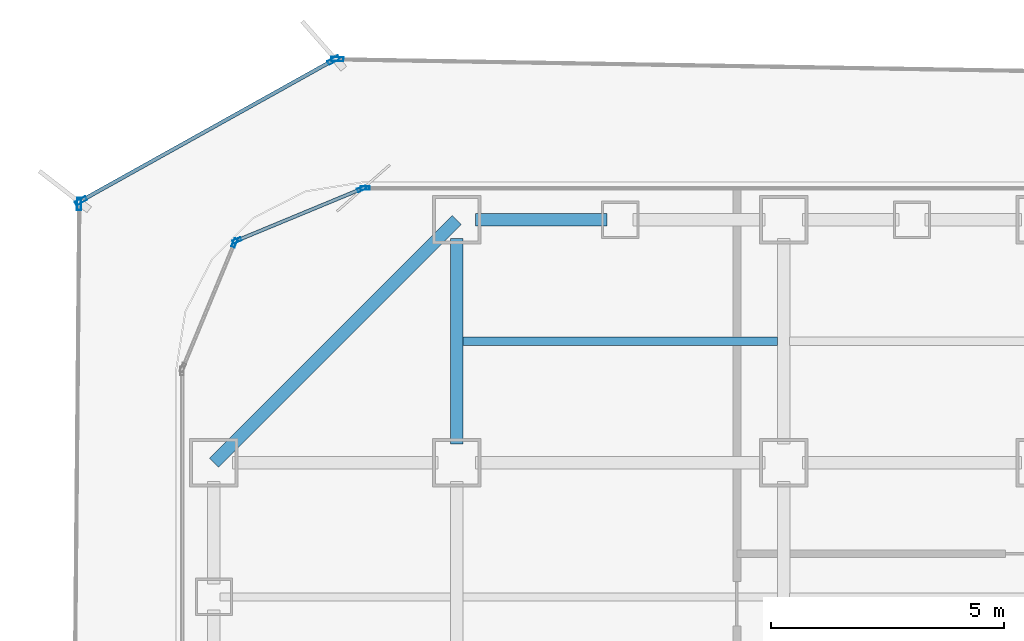
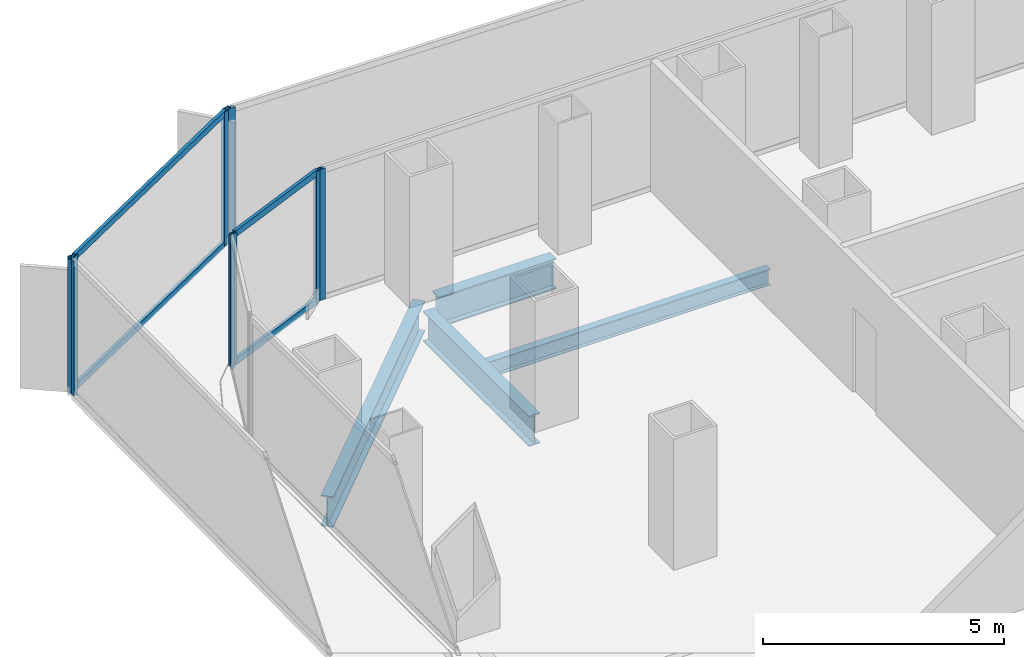
# One storey, part 11 of 21: 12 members, 4 beams, 6 elements without a shape of their own.
"""IFC4 building model written with IfcOpenShell, lengths in metres."""

from ifc_helpers import new_model, si_unit, direction, frame, origin, origin_2d, place, context, subcontext, project, spatial, hollow_rectangle, i_section, extrude, source, transform, mapped, material, layer, layer_set, material_profile, profile_set, type_object, element, aggregate, save


model = new_model("IFC4")

# Units and contexts
model_context = context("Model", 3, precision=1e-05, world=origin(), true_north=direction((0.0, 1.0)))
body_context = subcontext(model_context, "Body", "Model", "MODEL_VIEW")
ifc_project = project(units=[si_unit("LENGTHUNIT", "METRE"), si_unit("AREAUNIT", "SQUARE_METRE"), si_unit("VOLUMEUNIT", "CUBIC_METRE"), si_unit("PLANEANGLEUNIT", "RADIAN"), si_unit("MASSUNIT", "GRAM", prefix="KILO")], contexts=[model_context])

# Site, building, storey
site_placement = place(None, origin())
site = spatial("IfcSite", under=ifc_project, at=site_placement, CompositionType="ELEMENT")
building_placement = place(site_placement, origin())
building = spatial("IfcBuilding", under=site, at=building_placement, Name="Kolveth Station Tower", CompositionType="ELEMENT")
storey_placement = place(building_placement, frame((0.0, 0.0, 58.5)))
storey = spatial("IfcBuildingStorey", under=building, at=storey_placement, Name="L15", CompositionType="ELEMENT", Elevation=58.5)

# Beams
ifc_material_1 = material(Name="Steel S355", Category="steel")
ifc_material_profile_1 = material_profile(ifc_material_1, i_section(OverallWidth=0.26904296875, OverallDepth=0.77490234375, WebThickness=0.01708984375, FlangeThickness=0.0283203125, at=origin_2d()), Name="W760x220")
ifc_profile_set_1 = profile_set([ifc_material_profile_1], Name="Steel S355")
beam_type_1 = type_object("IfcBeamType", Name="Beam_SP1", PredefinedType="SPANDREL", material=ifc_profile_set_1)
shared_shape_1 = source(origin(), body_context, "Body", "SweptSolid", [
    extrude(i_section(OverallWidth=0.26904296875, OverallDepth=0.77490234375, WebThickness=0.01708984375, FlangeThickness=0.0283203125, at=origin_2d()), origin(), (0.0, 0.0, 1.0), 7.353759765625),
])
beam_1_placement = place(storey_placement, frame((6.0, 39.699951171875, -0.66748046875), z_axis=(-0.707106781187, -0.707106781187, 0.0), x_axis=(0.707106781187, -0.707106781187, 0.0)))
element("IfcBeam", 1, at=beam_1_placement, inside=storey, type_object=beam_type_1, Name="L15 Corner Edge Girder BM-L15-CNR-NW", PredefinedType="SPANDREL", context=body_context, shape_type="MappedRepresentation", body=[
    mapped(shared_shape_1, transform((0.0, 0.0, 0.0), x_axis=(1.0, 0.0, 0.0), y_axis=(0.0, 1.0, 0.0), z_axis=(0.0, 0.0, 1.0), scale=1.0)),
])
shared_shape_2 = source(origin(), body_context, "Body", "SweptSolid", [
    extrude(i_section(OverallWidth=0.26904296875, OverallDepth=0.77490234375, WebThickness=0.01708984375, FlangeThickness=0.0283203125, at=origin_2d()), origin(), (0.0, 0.0, 1.0), 2.820068359375),
])
beam_2_placement = place(storey_placement, frame((6.39990234375, 39.699951171875, -0.66748046875), z_axis=(1.0, 0.0, 0.0), x_axis=(0.0, 1.0, 0.0)))
element("IfcBeam", 2, at=beam_2_placement, inside=storey, type_object=beam_type_1, Name="L15 Perimeter Spandrel BM-L15-PN-1", PredefinedType="SPANDREL", context=body_context, shape_type="MappedRepresentation", body=[
    mapped(shared_shape_2, transform((0.0, 0.0, 0.0), x_axis=(1.0, 0.0, 0.0), y_axis=(0.0, 1.0, 0.0), z_axis=(0.0, 0.0, 1.0), scale=1.0)),
])
ifc_material_profile_2 = material_profile(ifc_material_1, i_section(OverallWidth=0.26708984375, OverallDepth=0.76611328125, WebThickness=0.014892578125, FlangeThickness=0.023681640625, at=origin_2d()), Name="W760x185")
ifc_profile_set_2 = profile_set([ifc_material_profile_2], Name="Steel S355")
beam_type_2 = type_object("IfcBeamType", Name="Beam_B3", PredefinedType="BEAM", material=ifc_profile_set_2)
shared_shape_3 = source(origin(), body_context, "Body", "SweptSolid", [
    extrude(i_section(OverallWidth=0.26708984375, OverallDepth=0.76611328125, WebThickness=0.014892578125, FlangeThickness=0.023681640625, at=origin_2d()), origin(), (0.0, 0.0, 1.0), 4.400146484375),
])
beam_3_placement = place(storey_placement, frame((6.0, 34.89990234375, -0.6630859375), z_axis=(0.0, 1.0, 0.0), x_axis=(-1.0, 0.0, 0.0)))
element("IfcBeam", 3, at=beam_3_placement, inside=storey, type_object=beam_type_2, Name="L15 Primary Girder BM-L15-GX60-7", PredefinedType="BEAM", context=body_context, shape_type="MappedRepresentation", body=[
    mapped(shared_shape_3, transform((0.0, 0.0, 0.0), x_axis=(1.0, 0.0, 0.0), y_axis=(0.0, 1.0, 0.0), z_axis=(0.0, 0.0, 1.0), scale=1.0)),
])
ifc_material_profile_3 = material_profile(ifc_material_1, i_section(OverallWidth=0.177978515625, OverallDepth=0.406982421875, WebThickness=0.0078125, FlangeThickness=0.0126953125, at=origin_2d()), Name="W410x60")
ifc_profile_set_3 = profile_set([ifc_material_profile_3], Name="Steel S355")
beam_type_3 = type_object("IfcBeamType", Name="Beam_J1", PredefinedType="JOIST", material=ifc_profile_set_3)
shared_shape_4 = source(origin(), body_context, "Body", "SweptSolid", [
    extrude(i_section(OverallWidth=0.177978515625, OverallDepth=0.406982421875, WebThickness=0.0078125, FlangeThickness=0.0126953125, at=origin_2d()), origin(), (0.0, 0.0, 1.0), 6.73681640625),
])
beam_4_placement = place(storey_placement, frame((6.131591796875, 37.10009765625, -0.4833984375), z_axis=(1.0, 0.0, 0.0), x_axis=(0.0, 1.0, 0.0)))
element("IfcBeam", 4, at=beam_4_placement, inside=storey, type_object=beam_type_3, Name="L15 Secondary Joist JST-L15-2-7", PredefinedType="JOIST", context=body_context, shape_type="MappedRepresentation", body=[
    mapped(shared_shape_4, transform((0.0, 0.0, 0.0), x_axis=(1.0, 0.0, 0.0), y_axis=(0.0, 1.0, 0.0), z_axis=(0.0, 0.0, 1.0), scale=1.0)),
])

# Curtain wall, member
ifc_material_2 = material(Name="Aluminium 6063-T6 and low-E dark glass", Category="aluminium")
ifc_layer_1 = layer(ifc_material_2, 0.179931640625)
ifc_layer_set_1 = layer_set([ifc_layer_1], Name="Aluminium 6063-T6 and low-E dark glass")
curtain_wall_type_1 = type_object("IfcCurtainWallType", Name="CurtainWall_CW-Z1", PredefinedType="NOTDEFINED", material=ifc_layer_set_1)
curtain_wall_1_placement = place(storey_placement, origin())
curtain_wall_1 = element("IfcCurtainWall", 5, at=curtain_wall_1_placement, inside=storey, type_object=curtain_wall_type_1, Name="L15 Inner Thermal Curtain Wall 6", PredefinedType="NOTDEFINED")
ifc_material_3 = material(Name="Black anodized aluminium 6063-T6", Category="aluminium")
ifc_material_profile_4 = material_profile(ifc_material_3, hollow_rectangle(XDim=0.074951171875, YDim=0.18994140625, WallThickness=0.0048828125, at=origin_2d()), Name="ALU-75x190x5")
ifc_profile_set_4 = profile_set([ifc_material_profile_4], Name="Black anodized aluminium 6063-T6")
member_type_1 = type_object("IfcMemberType", Name="Mullion_ML1", PredefinedType="MULLION", material=ifc_profile_set_4)
shared_shape_5 = source(origin(), body_context, "Body", "SweptSolid", [
    extrude(hollow_rectangle(XDim=0.074951171875, YDim=0.18994140625, WallThickness=0.0048828125, at=origin_2d()), origin(), (0.0, 0.0, 1.0), 3.320068359375),
])
member_1_placement = place(storey_placement, frame((4.03759765625, 40.3798828125, 0.0), z_axis=(0.0, 0.0, 1.0), x_axis=(0.0, -1.0, 0.0)))
member_1 = element("IfcMember", 6, at=member_1_placement, type_object=member_type_1, Name="CW-Z1 mullion 3", PredefinedType="MULLION", context=body_context, shape_type="MappedRepresentation", body=[
    mapped(shared_shape_5, transform((0.0, 0.0, 0.0), x_axis=(1.0, 0.0, 0.0), y_axis=(0.0, 1.0, 0.0), z_axis=(0.0, 0.0, 1.0), scale=1.0)),
])
aggregate(curtain_wall_1, [member_1])

# Curtain wall, members
curtain_wall_2_placement = place(storey_placement, origin())
curtain_wall_2 = element("IfcCurtainWall", 7, at=curtain_wall_2_placement, inside=storey, type_object=curtain_wall_type_1, Name="L15 Inner Thermal Curtain Wall 7", PredefinedType="NOTDEFINED")
member_2_placement = place(storey_placement, frame((3.96533203125, 40.36572265625, 0.0), z_axis=(0.0, 0.0, 1.0), x_axis=(0.382672990201, -0.923883857728, 0.0)))
member_2 = element("IfcMember", 8, at=member_2_placement, type_object=member_type_1, Name="CW-Z1 mullion 1", PredefinedType="MULLION", context=body_context, shape_type="MappedRepresentation", body=[
    mapped(shared_shape_5, transform((0.0, 0.0, 0.0), x_axis=(1.0, 0.0, 0.0), y_axis=(0.0, 1.0, 0.0), z_axis=(0.0, 0.0, 1.0), scale=1.0)),
])
member_3_placement = place(storey_placement, frame((1.291015625, 39.258056640625, 0.0), z_axis=(0.0, 0.0, 1.0), x_axis=(0.382672990201, -0.923883857728, 0.0)))
member_3 = element("IfcMember", 9, at=member_3_placement, type_object=member_type_1, Name="CW-Z1 mullion 2", PredefinedType="MULLION", context=body_context, shape_type="MappedRepresentation", body=[
    mapped(shared_shape_5, transform((0.0, 0.0, 0.0), x_axis=(1.0, 0.0, 0.0), y_axis=(0.0, 1.0, 0.0), z_axis=(0.0, 0.0, 1.0), scale=1.0)),
])

# Curtain wall, member
curtain_wall_3_placement = place(storey_placement, origin())
curtain_wall_3 = element("IfcCurtainWall", 10, at=curtain_wall_3_placement, inside=storey, type_object=curtain_wall_type_1, Name="L15 Inner Thermal Curtain Wall 8", PredefinedType="NOTDEFINED")
member_4_placement = place(storey_placement, frame((1.241943359375, 39.208984375, 0.0), z_axis=(0.0, 0.0, 1.0), x_axis=(0.923883857728, -0.382672990201, 0.0)))
member_4 = element("IfcMember", 11, at=member_4_placement, type_object=member_type_1, Name="CW-Z1 mullion 1", PredefinedType="MULLION", context=body_context, shape_type="MappedRepresentation", body=[
    mapped(shared_shape_5, transform((0.0, 0.0, 0.0), x_axis=(1.0, 0.0, 0.0), y_axis=(0.0, 1.0, 0.0), z_axis=(0.0, 0.0, 1.0), scale=1.0)),
])
aggregate(curtain_wall_3, [member_4])

# Member
ifc_material_profile_5 = material_profile(ifc_material_3, hollow_rectangle(XDim=0.074951171875, YDim=0.159912109375, WallThickness=0.0048828125, at=origin_2d()), Name="ALU-75x160x5")
ifc_profile_set_5 = profile_set([ifc_material_profile_5], Name="Black anodized aluminium 6063-T6")
member_type_2 = type_object("IfcMemberType", Name="Transom_TR1", PredefinedType="USERDEFINED", material=ifc_profile_set_5)
shared_shape_6 = source(origin(), body_context, "Body", "SweptSolid", [
    extrude(hollow_rectangle(XDim=0.074951171875, YDim=0.159912109375, WallThickness=0.0048828125, at=origin_2d()), origin(), (0.0, 0.0, 1.0), 2.819580078125),
])
member_5_placement = place(storey_placement, frame((3.9306640625, 40.351318359375, 0.03759765625), z_axis=(-0.923869084389, -0.382708655389, 0.0), x_axis=(0.382708655389, -0.923869084389, 0.0)))
member_5 = element("IfcMember", 12, at=member_5_placement, type_object=member_type_2, Name="CW-Z1 transom 1.1", ObjectType="TRANSOM", PredefinedType="USERDEFINED", context=body_context, shape_type="MappedRepresentation", body=[
    mapped(shared_shape_6, transform((0.0, 0.0, 0.0), x_axis=(1.0, 0.0, 0.0), y_axis=(0.0, 1.0, 0.0), z_axis=(0.0, 0.0, 1.0), scale=1.0)),
])

member_6_placement = place(storey_placement, frame((3.9306640625, 40.351318359375, 3.282470703125), z_axis=(-0.923869084389, -0.382708655389, 0.0), x_axis=(0.382708655389, -0.923869084389, 0.0)))
member_6 = element("IfcMember", 13, at=member_6_placement, type_object=member_type_2, Name="CW-Z1 transom 1.2", ObjectType="TRANSOM", PredefinedType="USERDEFINED", context=body_context, shape_type="MappedRepresentation", body=[
    mapped(shared_shape_6, transform((0.0, 0.0, 0.0), x_axis=(1.0, 0.0, 0.0), y_axis=(0.0, 1.0, 0.0), z_axis=(0.0, 0.0, 1.0), scale=1.0)),
])

aggregate(curtain_wall_2, [member_2, member_3, member_5, member_6])

# Curtain wall, member
ifc_material_4 = material(Name="Black anodized aluminium 6063-T6 and dark solar glass", Category="aluminium")
ifc_layer_2 = layer(ifc_material_4, 0.159912109375)
ifc_layer_set_2 = layer_set([ifc_layer_2], Name="Black anodized aluminium 6063-T6 and dark solar glass")
curtain_wall_type_2 = type_object("IfcCurtainWallType", Name="OUTER SKIN CW-OS", PredefinedType="NOTDEFINED", material=ifc_layer_set_2)
curtain_wall_4_placement = place(storey_placement, origin())
curtain_wall_4 = element("IfcCurtainWall", 14, at=curtain_wall_4_placement, inside=storey, type_object=curtain_wall_type_2, Name="L15 Outer Ventilated Skin Curtain Wall 4", PredefinedType="NOTDEFINED")
ifc_material_profile_6 = material_profile(ifc_material_3, hollow_rectangle(XDim=0.090087890625, YDim=0.260009765625, WallThickness=0.0048828125, at=origin_2d()), Name="ALU-90x260x5")
ifc_profile_set_6 = profile_set([ifc_material_profile_6], Name="Black anodized aluminium 6063-T6")
member_type_3 = type_object("IfcMemberType", Name="FIN MULLION ML-OS", PredefinedType="MULLION", material=ifc_profile_set_6)
shared_shape_7 = source(origin(), body_context, "Body", "SweptSolid", [
    extrude(hollow_rectangle(XDim=0.090087890625, YDim=0.260009765625, WallThickness=0.0048828125, at=origin_2d()), origin(), (0.0, 0.0, 1.0), 3.389892578125),
])
member_7_placement = place(storey_placement, frame((3.444580078125, 43.1435546875, 0.0), z_axis=(0.0, 0.0, 1.0), x_axis=(-0.016764318927, -0.999859468931, 0.0)))
member_7 = element("IfcMember", 15, at=member_7_placement, type_object=member_type_3, Name="CW-OS mullion 2", PredefinedType="MULLION", context=body_context, shape_type="MappedRepresentation", body=[
    mapped(shared_shape_7, transform((0.0, 0.0, 0.0), x_axis=(1.0, 0.0, 0.0), y_axis=(0.0, 1.0, 0.0), z_axis=(0.0, 0.0, 1.0), scale=1.0)),
])
aggregate(curtain_wall_4, [member_7])

# Curtain wall, members
curtain_wall_5_placement = place(storey_placement, origin())
curtain_wall_5 = element("IfcCurtainWall", 16, at=curtain_wall_5_placement, inside=storey, type_object=curtain_wall_type_2, Name="L15 Outer Ventilated Skin Curtain Wall 5", PredefinedType="NOTDEFINED")
member_8_placement = place(storey_placement, frame((3.360107421875, 43.122314453125, 0.0), z_axis=(0.0, 0.0, 1.0), x_axis=(0.48679116736, -0.873518379532, 0.0)))
member_8 = element("IfcMember", 17, at=member_8_placement, type_object=member_type_3, Name="CW-OS mullion 1", PredefinedType="MULLION", context=body_context, shape_type="MappedRepresentation", body=[
    mapped(shared_shape_7, transform((0.0, 0.0, 0.0), x_axis=(1.0, 0.0, 0.0), y_axis=(0.0, 1.0, 0.0), z_axis=(0.0, 0.0, 1.0), scale=1.0)),
])
member_9_placement = place(storey_placement, frame((-2.049560546875, 40.107666015625, 0.0), z_axis=(0.0, 0.0, 1.0), x_axis=(0.48679116736, -0.873518379532, 0.0)))
member_9 = element("IfcMember", 18, at=member_9_placement, type_object=member_type_3, Name="CW-OS mullion 2", PredefinedType="MULLION", context=body_context, shape_type="MappedRepresentation", body=[
    mapped(shared_shape_7, transform((0.0, 0.0, 0.0), x_axis=(1.0, 0.0, 0.0), y_axis=(0.0, 1.0, 0.0), z_axis=(0.0, 0.0, 1.0), scale=1.0)),
])

# Curtain wall, member
curtain_wall_6_placement = place(storey_placement, origin())
curtain_wall_6 = element("IfcCurtainWall", 19, at=curtain_wall_6_placement, inside=storey, type_object=curtain_wall_type_2, Name="L15 Outer Ventilated Skin Curtain Wall 6", PredefinedType="NOTDEFINED")
member_10_placement = place(storey_placement, frame((-2.089111328125, 40.040771484375, 0.0), z_axis=(0.0, 0.0, 1.0), x_axis=(0.999957233662, -0.009248288889, 0.0)))
member_10 = element("IfcMember", 20, at=member_10_placement, type_object=member_type_3, Name="CW-OS mullion 1", PredefinedType="MULLION", context=body_context, shape_type="MappedRepresentation", body=[
    mapped(shared_shape_7, transform((0.0, 0.0, 0.0), x_axis=(1.0, 0.0, 0.0), y_axis=(0.0, 1.0, 0.0), z_axis=(0.0, 0.0, 1.0), scale=1.0)),
])
aggregate(curtain_wall_6, [member_10])

# Member
ifc_material_profile_7 = material_profile(ifc_material_3, hollow_rectangle(XDim=0.080078125, YDim=0.14990234375, WallThickness=0.0048828125, at=origin_2d()), Name="ALU-80x150x5")
ifc_profile_set_7 = profile_set([ifc_material_profile_7], Name="Black anodized aluminium 6063-T6")
member_type_4 = type_object("IfcMemberType", Name="Transom_TR-OS", PredefinedType="USERDEFINED", material=ifc_profile_set_7)
shared_shape_8 = source(origin(), body_context, "Body", "SweptSolid", [
    extrude(hollow_rectangle(XDim=0.080078125, YDim=0.14990234375, WallThickness=0.0048828125, at=origin_2d()), origin(), (0.0, 0.0, 1.0), 6.10302734375),
])
member_11_placement = place(storey_placement, frame((3.32080078125, 43.100341796875, 0.0400390625), z_axis=(-0.873513058796, -0.486800714988, 0.0), x_axis=(0.486800714988, -0.873513058796, 0.0)))
member_11 = element("IfcMember", 21, at=member_11_placement, type_object=member_type_4, Name="CW-OS transom 1.1", ObjectType="TRANSOM", PredefinedType="USERDEFINED", context=body_context, shape_type="MappedRepresentation", body=[
    mapped(shared_shape_8, transform((0.0, 0.0, 0.0), x_axis=(1.0, 0.0, 0.0), y_axis=(0.0, 1.0, 0.0), z_axis=(0.0, 0.0, 1.0), scale=1.0)),
])

member_12_placement = place(storey_placement, frame((3.32080078125, 43.100341796875, 3.35009765625), z_axis=(-0.873513058796, -0.486800714988, 0.0), x_axis=(0.486800714988, -0.873513058796, 0.0)))
member_12 = element("IfcMember", 22, at=member_12_placement, type_object=member_type_4, Name="CW-OS transom 1.2", ObjectType="TRANSOM", PredefinedType="USERDEFINED", context=body_context, shape_type="MappedRepresentation", body=[
    mapped(shared_shape_8, transform((0.0, 0.0, 0.0), x_axis=(1.0, 0.0, 0.0), y_axis=(0.0, 1.0, 0.0), z_axis=(0.0, 0.0, 1.0), scale=1.0)),
])

aggregate(curtain_wall_5, [member_8, member_9, member_11, member_12])

save(model, "model.ifc")
